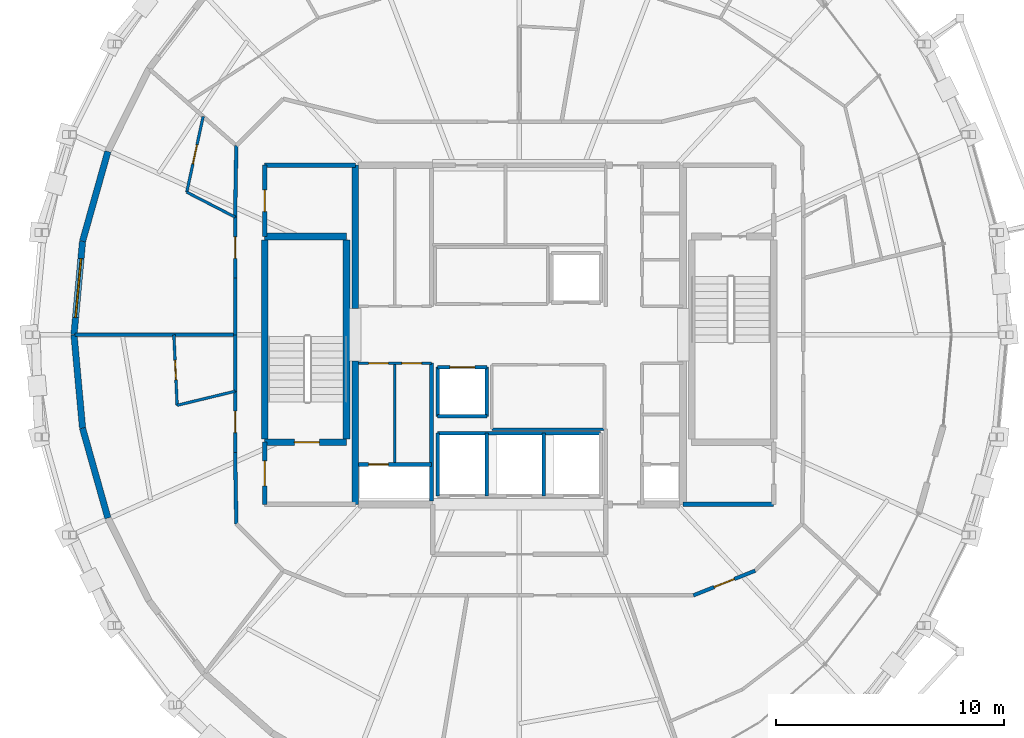
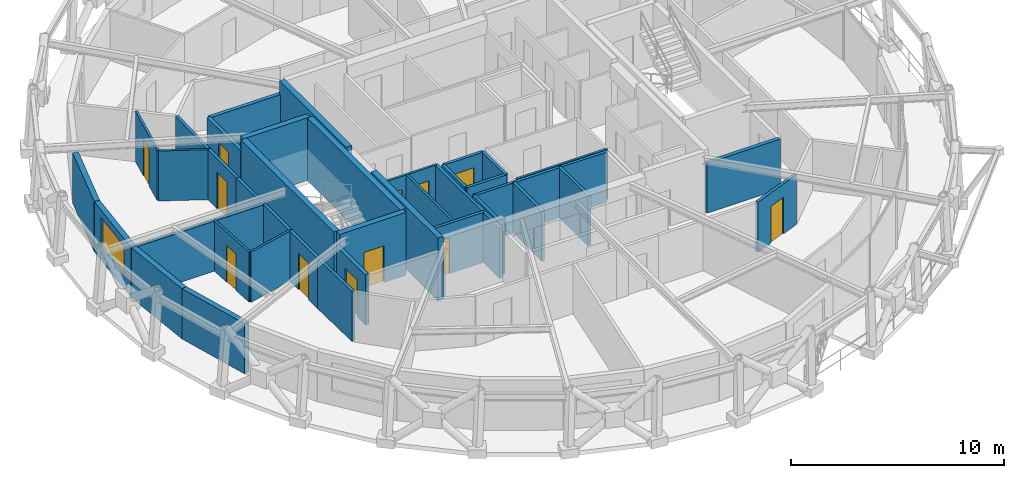
# One storey, part 11 of 15: 39 walls, 12 doors, 1 window, 13 openings.
"""IFC4 building model written with IfcOpenShell, lengths in metres."""

from ifc_helpers import new_model, si_unit, direction, frame, frame_2d, origin, place, context, subcontext, project, spatial, rectangle, extrude, material, layer, layer_set, type_object, element, fill, save


model = new_model("IFC4")

# Units and contexts
model_context = context("Model", 3, precision=1e-05, world=origin(), true_north=direction((0.0, 1.0)))
body_context = subcontext(model_context, "Body", "Model", "MODEL_VIEW")
ifc_project = project(units=[si_unit("LENGTHUNIT", "METRE"), si_unit("AREAUNIT", "SQUARE_METRE"), si_unit("VOLUMEUNIT", "CUBIC_METRE"), si_unit("PLANEANGLEUNIT", "RADIAN"), si_unit("MASSUNIT", "GRAM", prefix="KILO")], contexts=[model_context])

# Site, building, storey
site_placement = place(None, origin())
site = spatial("IfcSite", under=ifc_project, at=site_placement, CompositionType="ELEMENT")
building_placement = place(site_placement, origin())
building = spatial("IfcBuilding", under=site, at=building_placement, Name="Veldorina Hangang Commons", CompositionType="ELEMENT")
storey_placement = place(building_placement, frame((0.0, 0.0, 268.800048828125)))
storey = spatial("IfcBuildingStorey", under=building, at=storey_placement, Name="L70", CompositionType="ELEMENT", Elevation=268.800048828125)

# Walls
ifc_material_1 = material(Name="Concrete C50/60", Category="concrete")
ifc_layer_1 = layer(ifc_material_1, 0.300048828125)
ifc_layer_set_1 = layer_set([ifc_layer_1], Name="Concrete C50/60")
wall_type_1 = type_object("IfcWallType", Name="CW-RC300-C50", PredefinedType="SHEAR", material=ifc_layer_set_1)
for number, where, z_axis, x_axis, name in (
    (1, (24.800048828125, 16.550048828125, 0.0), (0.0, 0.0, 1.0), (0.0, 1.0, 0.0), "L70 W south core shear wall"),
    (2, (24.800048828125, 25.14990234375, 0.0), (0.0, 0.0, 1.0), (0.0, 1.0, 0.0), "L70 W north core shear wall"),
):
    element("IfcWall", number, at=place(storey_placement, frame(where, z_axis=z_axis, x_axis=x_axis)), inside=storey, type_object=wall_type_1, Name=name, PredefinedType="SHEAR", context=body_context, shape_type="SweptSolid", body=[
        extrude(rectangle(XDim=6.300048828125, YDim=0.300048828125, at=frame_2d((3.14990234375, 0.0))), origin(), (0.0, 0.0, 1.0), 3.599853515625),
    ])
ifc_material_2 = material(Name="Stone Roman Travertine", Category="masonry")
ifc_layer_2 = layer(ifc_material_2, 0.280029296875)
ifc_layer_set_2 = layer_set([ifc_layer_2], Name="Stone Roman Travertine")
wall_type_2 = type_object("IfcWallType", Name="EW-TRAV-280", PredefinedType="STANDARD", material=ifc_layer_set_2)
wall_1_placement = place(storey_placement, frame((13.931884765625, 32.050537109375, 0.0), z_axis=(0.0, 0.0, 1.0), x_axis=(-0.271385212896, -0.962470813179, 0.0)))
element("IfcWall", 3, at=wall_1_placement, inside=storey, type_object=wall_type_2, Name="L70 travertine facade wall 14", PredefinedType="STANDARD", context=body_context, shape_type="SweptSolid", body=[
    extrude(rectangle(XDim=4.100341796875, YDim=0.280029296875, at=frame_2d((2.05029296875, 0.0))), origin(), (0.0, 0.0, 1.0), 2.8798828125),
])

# Wall, opening, window
wall_2_placement = place(storey_placement, frame((12.819091796875, 28.10400390625, 0.0), z_axis=(0.0, 0.0, 1.0), x_axis=(-0.091230098321, -0.995829839461, 0.0)))
wall_2 = element("IfcWall", 4, at=wall_2_placement, inside=storey, type_object=wall_type_2, Name="L70 travertine facade wall 15", PredefinedType="STANDARD", context=body_context, shape_type="SweptSolid", body=[
    extrude(rectangle(XDim=4.12109375, YDim=0.280029296875, at=frame_2d((2.060546875, 0.0))), origin(), (0.0, 0.0, 1.0), 2.8798828125),
])
opening_1_placement = place(wall_2_placement, frame((0.760498046875, 0.0, 0.800048828125)))
opening_1 = element("IfcOpeningElement", 5, at=opening_1_placement, cuts=wall_2, Name="Opening W-02", PredefinedType="OPENING", context=body_context, shape_type="SweptSolid", body=[
    extrude(rectangle(XDim=2.60009765625, YDim=1.64990234375, at=frame_2d((1.300048828125, 0.824951171875))), frame((0.0, 0.14990234375, 0.0), z_axis=(0.0, -1.0, 0.0), x_axis=(1.0, 0.0, 0.0)), (0.0, 0.0, 1.0), 0.300048828125),
])
ifc_material_3 = material(Name="Glass Low-E Triple IGU", Category="glass")
window_type = type_object("IfcWindowType", Name="WIN-TWR-2600", PartitioningType="SINGLE_PANEL", PredefinedType="WINDOW", material=ifc_material_3)
window_placement = place(opening_1_placement, origin())
window = element("IfcWindow", 6, at=window_placement, inside=storey, type_object=window_type, Name="L70 facade window 15", OverallHeight=1.64990234375, OverallWidth=2.60009765625, PartitioningType="SINGLE_PANEL", PredefinedType="WINDOW", context=body_context, shape_type="SweptSolid", body=[
    extrude(rectangle(XDim=2.60009765625, YDim=1.64990234375, at=frame_2d((1.300048828125, 0.824951171875))), frame((0.0, 0.030029296875, 0.0), z_axis=(0.0, -1.0, 0.0), x_axis=(1.0, 0.0, 0.0)), (0.0, 0.0, 1.0), 0.06005859375),
])
fill(opening_1, window)

# Walls
wall_3_placement = place(storey_placement, frame((12.443115234375, 24.0, 0.0), z_axis=(0.0, 0.0, 1.0), x_axis=(0.091230098321, -0.995829839461, 0.0)))
element("IfcWall", 7, at=wall_3_placement, inside=storey, type_object=wall_type_2, Name="L70 travertine facade wall 16", PredefinedType="STANDARD", context=body_context, shape_type="SweptSolid", body=[
    extrude(rectangle(XDim=4.12109375, YDim=0.280029296875, at=frame_2d((2.060546875, 0.0))), origin(), (0.0, 0.0, 1.0), 2.8798828125),
])
wall_4_placement = place(storey_placement, frame((12.819091796875, 19.89599609375, 0.0), z_axis=(0.0, 0.0, 1.0), x_axis=(0.271385212896, -0.962470813179, 0.0)))
element("IfcWall", 8, at=wall_4_placement, inside=storey, type_object=wall_type_2, Name="L70 travertine facade wall 17", PredefinedType="STANDARD", context=body_context, shape_type="SweptSolid", body=[
    extrude(rectangle(XDim=4.100341796875, YDim=0.280029296875, at=frame_2d((2.05029296875, 0.0))), origin(), (0.0, 0.0, 1.0), 2.8798828125),
])
ifc_layer_3 = layer(ifc_material_1, 0.300048828125)
ifc_layer_set_3 = layer_set([ifc_layer_3], Name="Concrete C50/60")
wall_type_3 = type_object("IfcWallType", Name="SW-STAIR-300", PredefinedType="SHEAR", material=ifc_layer_set_3)
for number, where, z_axis, x_axis, name in (
    (9, (20.820068359375, 19.429931640625, 0.0), (0.0, 0.0, 1.0), (0.0, 1.0, 0.0), "L70 ST1 outer stair shear wall"),
    (10, (24.419921875, 19.429931640625, 0.0), (0.0, 0.0, 1.0), (0.0, 1.0, 0.0), "L70 ST1 inner stair shear wall"),
):
    element("IfcWall", number, at=place(storey_placement, frame(where, z_axis=z_axis, x_axis=x_axis)), inside=storey, type_object=wall_type_3, Name=name, PredefinedType="SHEAR", context=body_context, shape_type="SweptSolid", body=[
        extrude(rectangle(XDim=8.739990234375, YDim=0.300048828125, at=frame_2d((4.3701171875, 0.0))), origin(), (0.0, 0.0, 1.0), 3.599853515625),
    ])

# Wall, opening, door
wall_5_placement = place(storey_placement, frame((20.820068359375, 19.280029296875, 0.0), z_axis=(0.0, 0.0, 1.0), x_axis=(1.0, 0.0, 0.0)))
wall_5 = element("IfcWall", 11, at=wall_5_placement, inside=storey, type_object=wall_type_3, Name="L70 ST1 south stair shear wall", PredefinedType="SHEAR", context=body_context, shape_type="SweptSolid", body=[
    extrude(rectangle(XDim=3.599853515625, YDim=0.300048828125, at=frame_2d((1.7998046875, 0.0))), origin(), (0.0, 0.0, 1.0), 3.599853515625),
])
opening_2_placement = place(wall_5_placement, frame((1.300048828125, 0.0, 0.0)))
opening_2 = element("IfcOpeningElement", 12, at=opening_2_placement, cuts=wall_5, Name="Opening D-08", PredefinedType="OPENING", context=body_context, shape_type="SweptSolid", body=[
    extrude(rectangle(XDim=1.10009765625, YDim=2.10009765625, at=frame_2d((0.550048828125, 1.050048828125))), frame((0.0, 0.16015625, 0.0), z_axis=(0.0, -1.0, 0.0), x_axis=(1.0, 0.0, 0.0)), (0.0, 0.0, 1.0), 0.320068359375),
])
ifc_material_4 = material(Name="Steel Fire-Rated Smoke Seal", Category="steel")
door_type_1 = type_object("IfcDoorType", Name="DR-FIRE-1100", OperationType="SINGLE_SWING_RIGHT", PredefinedType="DOOR", material=ifc_material_4)
door_1_placement = place(opening_2_placement, origin())
door_1 = element("IfcDoor", 13, at=door_1_placement, inside=storey, type_object=door_type_1, Name="L70 Special Escape Stair ST-1 door", OperationType="SINGLE_SWING_LEFT", OverallHeight=2.10009765625, OverallWidth=1.10009765625, PredefinedType="DOOR", context=body_context, shape_type="SweptSolid", body=[
    extrude(rectangle(XDim=1.10009765625, YDim=2.10009765625, at=frame_2d((0.550048828125, 1.050048828125))), frame((0.0, 0.02490234375, 0.0), z_axis=(0.0, -1.0, 0.0), x_axis=(1.0, 0.0, 0.0)), (0.0, 0.0, 1.0), 0.050048828125),
])
fill(opening_2, door_1)

# Wall
wall_6_placement = place(storey_placement, frame((20.820068359375, 28.320068359375, 0.0), z_axis=(0.0, 0.0, 1.0), x_axis=(1.0, 0.0, 0.0)))
element("IfcWall", 14, at=wall_6_placement, inside=storey, type_object=wall_type_3, Name="L70 ST1 north stair shear wall", PredefinedType="SHEAR", context=body_context, shape_type="SweptSolid", body=[
    extrude(rectangle(XDim=3.599853515625, YDim=0.300048828125, at=frame_2d((1.7998046875, 0.0))), origin(), (0.0, 0.0, 1.0), 3.599853515625),
])

# Wall, opening, door
ifc_material_5 = material(Name="Gypsum Fire-Rated Twin Stud Wall", Category="gypsum")
ifc_layer_4 = layer(ifc_material_5, 0.159912109375)
ifc_layer_set_4 = layer_set([ifc_layer_4], Name="Gypsum Fire-Rated Twin Stud Wall")
wall_type_4 = type_object("IfcWallType", Name="WL-FIRE-160", PredefinedType="SOLIDWALL", material=ifc_layer_set_4)
wall_7_placement = place(storey_placement, frame((28.419921875, 22.580078125, 0.0), z_axis=(0.0, 0.0, 1.0), x_axis=(1.0, 0.0, 0.0)))
wall_7 = element("IfcWall", 15, at=wall_7_placement, inside=storey, type_object=wall_type_4, Name="L70 Shuttle-high front shaft wall 019", PredefinedType="SOLIDWALL", context=body_context, shape_type="SweptSolid", body=[
    extrude(rectangle(XDim=2.16015625, YDim=0.159912109375, at=frame_2d((1.080078125, 0.0))), origin(), (0.0, 0.0, 1.0), 2.869873046875),
])
opening_3_placement = place(wall_7_placement, frame((0.530029296875, 0.0, 0.0)))
opening_3 = element("IfcOpeningElement", 16, at=opening_3_placement, cuts=wall_7, Name="Opening LD-01", PredefinedType="OPENING", context=body_context, shape_type="SweptSolid", body=[
    extrude(rectangle(XDim=1.10009765625, YDim=2.14990234375, at=frame_2d((0.550048828125, 1.074951171875))), frame((0.0, 0.08984375, 0.0), z_axis=(0.0, -1.0, 0.0), x_axis=(1.0, 0.0, 0.0)), (0.0, 0.0, 1.0), 0.179931640625),
])
ifc_material_6 = material(Name="Stainless Steel Brushed Lift Door", Category="steel")
door_type_2 = type_object("IfcDoorType", Name="DR-LIFT-1100", OperationType="SLIDING_TO_LEFT", PredefinedType="DOOR", material=ifc_material_6)
door_2_placement = place(opening_3_placement, origin())
door_2 = element("IfcDoor", 17, at=door_2_placement, inside=storey, type_object=door_type_2, Name="L70 Lift PL-H2 landing door 007", OperationType="SLIDING_TO_LEFT", OverallHeight=2.14990234375, OverallWidth=1.10009765625, PredefinedType="DOOR", context=body_context, shape_type="SweptSolid", body=[
    extrude(rectangle(XDim=1.10009765625, YDim=2.14990234375, at=frame_2d((0.550048828125, 1.074951171875))), frame((0.0, 0.02490234375, 0.0), z_axis=(0.0, -1.0, 0.0), x_axis=(1.0, 0.0, 0.0)), (0.0, 0.0, 1.0), 0.050048828125),
])
fill(opening_3, door_2)

# Walls
for number, where, z_axis, x_axis, name in (
    (18, (28.419921875, 20.419921875, 0.0), (0.0, 0.0, 1.0), (1.0, 0.0, 0.0), "L70 Shuttle-high rear shaft wall 020"),
    (19, (28.419921875, 20.419921875, 0.0), (0.0, 0.0, 1.0), (0.0, 1.0, 0.0), "L70 PL-H2 west shaft wall 021"),
    (20, (30.580078125, 20.419921875, 0.0), (0.0, 0.0, 1.0), (0.0, 1.0, 0.0), "L70 PL-H2 east shaft wall 022"),
):
    element("IfcWall", number, at=place(storey_placement, frame(where, z_axis=z_axis, x_axis=x_axis)), inside=storey, type_object=wall_type_4, Name=name, PredefinedType="SOLIDWALL", context=body_context, shape_type="SweptSolid", body=[
        extrude(rectangle(XDim=2.16015625, YDim=0.159912109375, at=frame_2d((1.080078125, 0.0))), origin(), (0.0, 0.0, 1.0), 2.869873046875),
    ])
wall_8_placement = place(storey_placement, frame((28.419921875, 19.679931640625, 0.0), z_axis=(0.0, 0.0, 1.0), x_axis=(1.0, 0.0, 0.0)))
element("IfcWall", 21, at=wall_8_placement, inside=storey, type_object=wall_type_4, Name="L70 Emergency rear shaft wall 024", PredefinedType="SOLIDWALL", context=body_context, shape_type="SweptSolid", body=[
    extrude(rectangle(XDim=7.16015625, YDim=0.159912109375, at=frame_2d((3.580078125, 0.0))), origin(), (0.0, 0.0, 1.0), 2.869873046875),
])
for number, where, z_axis, x_axis, name in (
    (22, (28.419921875, 16.919921875, 0.0), (0.0, 0.0, 1.0), (0.0, 1.0, 0.0), "L70 FFL-1 west shaft wall 025"),
    (23, (30.580078125, 16.919921875, 0.0), (0.0, 0.0, 1.0), (0.0, 1.0, 0.0), "L70 FFL-1 east shaft wall 026"),
    (24, (33.080078125, 16.919921875, 0.0), (0.0, 0.0, 1.0), (0.0, 1.0, 0.0), "L70 FFL-2 east shaft wall 027"),
):
    element("IfcWall", number, at=place(storey_placement, frame(where, z_axis=z_axis, x_axis=x_axis)), inside=storey, type_object=wall_type_4, Name=name, PredefinedType="SOLIDWALL", context=body_context, shape_type="SweptSolid", body=[
        extrude(rectangle(XDim=2.760009765625, YDim=0.159912109375, at=frame_2d((1.3798828125, 0.0))), origin(), (0.0, 0.0, 1.0), 2.869873046875),
    ])

# Wall, opening, door
wall_9_placement = place(storey_placement, frame((24.949951171875, 18.300048828125, 0.0), z_axis=(0.0, 0.0, 1.0), x_axis=(1.0, 0.0, 0.0)))
wall_9 = element("IfcWall", 25, at=wall_9_placement, inside=storey, type_object=wall_type_4, Name="L70 Electrical riser wall 041", PredefinedType="SOLIDWALL", context=body_context, shape_type="SweptSolid", body=[
    extrude(rectangle(XDim=3.199951171875, YDim=0.159912109375, at=frame_2d((1.60009765625, 0.0))), origin(), (0.0, 0.0, 1.0), 2.869873046875),
])
opening_4_placement = place(wall_9_placement, frame((0.43994140625, 0.0, 0.0)))
opening_4 = element("IfcOpeningElement", 26, at=opening_4_placement, cuts=wall_9, Name="Opening D-12", PredefinedType="OPENING", context=body_context, shape_type="SweptSolid", body=[
    extrude(rectangle(XDim=0.860107421875, YDim=2.050048828125, at=frame_2d((0.43017578125, 1.02490234375))), frame((0.0, 0.08984375, 0.0), z_axis=(0.0, -1.0, 0.0), x_axis=(1.0, 0.0, 0.0)), (0.0, 0.0, 1.0), 0.179931640625),
])
ifc_material_7 = material(Name="Steel Insulated Riser Access", Category="steel")
door_type_3 = type_object("IfcDoorType", Name="DR-TRAP-860", OperationType="SINGLE_SWING_LEFT", PredefinedType="TRAPDOOR", material=ifc_material_7)
door_3_placement = place(opening_4_placement, origin())
door_3 = element("IfcDoor", 27, at=door_3_placement, inside=storey, type_object=door_type_3, Name="L70 Electrical riser access door 015", OperationType="SINGLE_SWING_LEFT", OverallHeight=2.050048828125, OverallWidth=0.860107421875, PredefinedType="TRAPDOOR", context=body_context, shape_type="SweptSolid", body=[
    extrude(rectangle(XDim=0.860107421875, YDim=2.050048828125, at=frame_2d((0.43017578125, 1.02490234375))), frame((0.0, 0.02490234375, 0.0), z_axis=(0.0, -1.0, 0.0), x_axis=(1.0, 0.0, 0.0)), (0.0, 0.0, 1.0), 0.050048828125),
])
fill(opening_4, door_3)

# Walls
wall_10_placement = place(storey_placement, frame((28.14990234375, 16.699951171875, 0.0), z_axis=(0.0, 0.0, 1.0), x_axis=(0.0, 1.0, 0.0)))
element("IfcWall", 28, at=wall_10_placement, inside=storey, type_object=wall_type_4, Name="L70 SW core inner wall 042", PredefinedType="SOLIDWALL", context=body_context, shape_type="SweptSolid", body=[
    extrude(rectangle(XDim=6.050048828125, YDim=0.159912109375, at=frame_2d((3.02490234375, 0.0))), origin(), (0.0, 0.0, 1.0), 2.869873046875),
])
wall_11_placement = place(storey_placement, frame((19.5732421875, 32.30322265625, 0.0), z_axis=(0.0, 0.0, 1.0), x_axis=(-0.016981035134, -0.999855811828, 0.0)))
element("IfcWall", 29, at=wall_11_placement, inside=storey, type_object=wall_type_4, Name="L70 Compact collar outer wall 13 069", PredefinedType="SOLIDWALL", context=body_context, shape_type="SweptSolid", body=[
    extrude(rectangle(XDim=3.13427734375, YDim=0.159912109375, at=frame_2d((1.567138671875, 0.0))), origin(), (0.0, 0.0, 1.0), 2.869873046875),
])

# Wall, opening, door
wall_12_placement = place(storey_placement, frame((19.52001953125, 29.16943359375, 0.0), z_axis=(0.0, 0.0, 1.0), x_axis=(0.0, -1.0, 0.0)))
wall_12 = element("IfcWall", 30, at=wall_12_placement, inside=storey, type_object=wall_type_4, Name="L70 Compact collar outer wall 14 070", PredefinedType="SOLIDWALL", context=body_context, shape_type="SweptSolid", body=[
    extrude(rectangle(XDim=2.68701171875, YDim=0.159912109375, at=frame_2d((1.343505859375, 0.0))), origin(), (0.0, 0.0, 1.0), 2.869873046875),
])
opening_5_placement = place(wall_12_placement, frame((0.868408203125, 0.0, 0.0)))
opening_5 = element("IfcOpeningElement", 31, at=opening_5_placement, cuts=wall_12, Name="Opening D-03", PredefinedType="OPENING", context=body_context, shape_type="SweptSolid", body=[
    extrude(rectangle(XDim=0.949951171875, YDim=2.10009765625, at=frame_2d((0.47509765625, 1.050048828125))), frame((0.0, 0.08984375, 0.0), z_axis=(0.0, -1.0, 0.0), x_axis=(1.0, 0.0, 0.0)), (0.0, 0.0, 1.0), 0.179931640625),
])
ifc_material_8 = material(Name="Timber Fire-Rated Entrance Core", Category="wood")
door_type_4 = type_object("IfcDoorType", Name="DR-UNIT-950", OperationType="SINGLE_SWING_RIGHT", PredefinedType="DOOR", material=ifc_material_8)
door_4_placement = place(opening_5_placement, origin())
door_4 = element("IfcDoor", 32, at=door_4_placement, inside=storey, type_object=door_type_4, Name="L70 Studio 4 entrance door 038", OperationType="SINGLE_SWING_RIGHT", OverallHeight=2.10009765625, OverallWidth=0.949951171875, PredefinedType="DOOR", context=body_context, shape_type="SweptSolid", body=[
    extrude(rectangle(XDim=0.949951171875, YDim=2.10009765625, at=frame_2d((0.47509765625, 1.050048828125))), frame((0.0, 0.02490234375, 0.0), z_axis=(0.0, -1.0, 0.0), x_axis=(1.0, 0.0, 0.0)), (0.0, 0.0, 1.0), 0.050048828125),
])
fill(opening_5, door_4)

# Walls
for number, where, z_axis, x_axis, name in (
    (33, (19.52001953125, 26.482421875, 0.0), (0.0, 0.0, 1.0), (0.0, -1.0, 0.0), "L70 Compact collar outer wall 15 071"),
    (34, (19.52001953125, 24.0, 0.0), (0.0, 0.0, 1.0), (0.0, -1.0, 0.0), "L70 Compact collar outer wall 16 072"),
):
    element("IfcWall", number, at=place(storey_placement, frame(where, z_axis=z_axis, x_axis=x_axis)), inside=storey, type_object=wall_type_4, Name=name, PredefinedType="SOLIDWALL", context=body_context, shape_type="SweptSolid", body=[
        extrude(rectangle(XDim=2.482421875, YDim=0.159912109375, at=frame_2d((1.2412109375, 0.0))), origin(), (0.0, 0.0, 1.0), 2.869873046875),
    ])

# Wall, opening, door
wall_13_placement = place(storey_placement, frame((19.52001953125, 21.517578125, 0.0), z_axis=(0.0, 0.0, 1.0), x_axis=(0.0, -1.0, 0.0)))
wall_13 = element("IfcWall", 35, at=wall_13_placement, inside=storey, type_object=wall_type_4, Name="L70 Compact collar outer wall 17 073", PredefinedType="SOLIDWALL", context=body_context, shape_type="SweptSolid", body=[
    extrude(rectangle(XDim=2.68701171875, YDim=0.159912109375, at=frame_2d((1.343505859375, 0.0))), origin(), (0.0, 0.0, 1.0), 2.869873046875),
])
opening_6_placement = place(wall_13_placement, frame((0.868408203125, 0.0, 0.0)))
opening_6 = element("IfcOpeningElement", 36, at=opening_6_placement, cuts=wall_13, Name="Opening D-03", PredefinedType="OPENING", context=body_context, shape_type="SweptSolid", body=[
    extrude(rectangle(XDim=0.949951171875, YDim=2.10009765625, at=frame_2d((0.47509765625, 1.050048828125))), frame((0.0, 0.08984375, 0.0), z_axis=(0.0, -1.0, 0.0), x_axis=(1.0, 0.0, 0.0)), (0.0, 0.0, 1.0), 0.179931640625),
])
door_5_placement = place(opening_6_placement, origin())
door_5 = element("IfcDoor", 37, at=door_5_placement, inside=storey, type_object=door_type_4, Name="L70 Studio 5 entrance door 040", OperationType="SINGLE_SWING_RIGHT", OverallHeight=2.10009765625, OverallWidth=0.949951171875, PredefinedType="DOOR", context=body_context, shape_type="SweptSolid", body=[
    extrude(rectangle(XDim=0.949951171875, YDim=2.10009765625, at=frame_2d((0.47509765625, 1.050048828125))), frame((0.0, 0.02490234375, 0.0), z_axis=(0.0, -1.0, 0.0), x_axis=(1.0, 0.0, 0.0)), (0.0, 0.0, 1.0), 0.050048828125),
])
fill(opening_6, door_5)

# Wall
wall_14_placement = place(storey_placement, frame((19.52001953125, 18.83056640625, 0.0), z_axis=(0.0, 0.0, 1.0), x_axis=(0.016981035134, -0.999855811828, 0.0)))
element("IfcWall", 38, at=wall_14_placement, inside=storey, type_object=wall_type_4, Name="L70 Compact collar outer wall 18 074", PredefinedType="SOLIDWALL", context=body_context, shape_type="SweptSolid", body=[
    extrude(rectangle(XDim=3.13427734375, YDim=0.159912109375, at=frame_2d((1.567138671875, 0.0))), origin(), (0.0, 0.0, 1.0), 2.869873046875),
])

# Wall, opening, door
wall_15_placement = place(storey_placement, frame((39.650634765625, 12.550048828125, 0.0), z_axis=(0.0, 0.0, 1.0), x_axis=(0.92856882165, 0.371160266542, 0.0)))
wall_15 = element("IfcWall", 39, at=wall_15_placement, inside=storey, type_object=wall_type_4, Name="L70 Compact collar outer wall 27 083", PredefinedType="SOLIDWALL", context=body_context, shape_type="SweptSolid", body=[
    extrude(rectangle(XDim=2.923095703125, YDim=0.159912109375, at=frame_2d((1.46142578125, 0.0))), origin(), (0.0, 0.0, 1.0), 2.869873046875),
])
opening_7_placement = place(wall_15_placement, frame((0.986572265625, 0.0, 0.0)))
opening_7 = element("IfcOpeningElement", 40, at=opening_7_placement, cuts=wall_15, Name="Opening D-02", PredefinedType="OPENING", context=body_context, shape_type="SweptSolid", body=[
    extrude(rectangle(XDim=0.949951171875, YDim=2.10009765625, at=frame_2d((0.47509765625, 1.050048828125))), frame((0.0, 0.08984375, 0.0), z_axis=(0.0, -1.0, 0.0), x_axis=(1.0, 0.0, 0.0)), (0.0, 0.0, 1.0), 0.179931640625),
])
ifc_material_9 = material(Name="Timber Solid Core Acoustic", Category="wood")
door_type_5 = type_object("IfcDoorType", Name="DR-INT-950", OperationType="SINGLE_SWING_LEFT", PredefinedType="DOOR", material=ifc_material_9)
door_6_placement = place(opening_7_placement, origin())
door_6 = element("IfcDoor", 41, at=door_6_placement, inside=storey, type_object=door_type_5, Name="L70 Linen drying store door 043", OperationType="SINGLE_SWING_LEFT", OverallHeight=2.10009765625, OverallWidth=0.949951171875, PredefinedType="DOOR", context=body_context, shape_type="SweptSolid", body=[
    extrude(rectangle(XDim=0.949951171875, YDim=2.10009765625, at=frame_2d((0.47509765625, 1.050048828125))), frame((0.0, 0.02490234375, 0.0), z_axis=(0.0, -1.0, 0.0), x_axis=(1.0, 0.0, 0.0)), (0.0, 0.0, 1.0), 0.050048828125),
])
fill(opening_7, door_6)

# Wall
wall_16_placement = place(storey_placement, frame((19.52001953125, 24.0, 0.0), z_axis=(0.0, 0.0, 1.0), x_axis=(-1.0, 0.0, 0.0)))
element("IfcWall", 42, at=wall_16_placement, inside=storey, type_object=wall_type_4, Name="L70 Unit party wall 16 108", PredefinedType="SOLIDWALL", context=body_context, shape_type="SweptSolid", body=[
    extrude(rectangle(XDim=7.02685546875, YDim=0.159912109375, at=frame_2d((3.513427734375, 0.0))), origin(), (0.0, 0.0, 1.0), 2.869873046875),
])

# Wall, opening, door
ifc_material_10 = material(Name="Concrete Blockwork Fire Wall C30/37", Category="masonry")
ifc_layer_5 = layer(ifc_material_10, 0.199951171875)
ifc_layer_set_5 = layer_set([ifc_layer_5], Name="Concrete Blockwork Fire Wall C30/37")
wall_type_5 = type_object("IfcWallType", Name="WL-FIRE-200", PredefinedType="SOLIDWALL", material=ifc_layer_set_5)
wall_17_placement = place(storey_placement, frame((20.820068359375, 16.550048828125, 0.0), z_axis=(0.0, 0.0, 1.0), x_axis=(0.0, 1.0, 0.0)))
wall_17 = element("IfcWall", 43, at=wall_17_placement, inside=storey, type_object=wall_type_5, Name="L70 West vestibule outer wall 001", PredefinedType="SOLIDWALL", context=body_context, shape_type="SweptSolid", body=[
    extrude(rectangle(XDim=2.72998046875, YDim=0.199951171875, at=frame_2d((1.364990234375, 0.0))), origin(), (0.0, 0.0, 1.0), 2.869873046875),
])
opening_8_placement = place(wall_17_placement, frame((0.81494140625, 0.0, 0.0)))
opening_8 = element("IfcOpeningElement", 44, at=opening_8_placement, cuts=wall_17, Name="Opening D-08", PredefinedType="OPENING", context=body_context, shape_type="SweptSolid", body=[
    extrude(rectangle(XDim=1.10009765625, YDim=2.10009765625, at=frame_2d((0.550048828125, 1.050048828125))), frame((0.0, 0.10986328125, 0.0), z_axis=(0.0, -1.0, 0.0), x_axis=(1.0, 0.0, 0.0)), (0.0, 0.0, 1.0), 0.219970703125),
])
door_7_placement = place(opening_8_placement, origin())
door_7 = element("IfcDoor", 45, at=door_7_placement, inside=storey, type_object=door_type_1, Name="L70 West vestibule west door 001", OperationType="SINGLE_SWING_LEFT", OverallHeight=2.10009765625, OverallWidth=1.10009765625, PredefinedType="DOOR", context=body_context, shape_type="SweptSolid", body=[
    extrude(rectangle(XDim=1.10009765625, YDim=2.10009765625, at=frame_2d((0.550048828125, 1.050048828125))), frame((0.0, 0.02490234375, 0.0), z_axis=(0.0, -1.0, 0.0), x_axis=(1.0, 0.0, 0.0)), (0.0, 0.0, 1.0), 0.050048828125),
])
fill(opening_8, door_7)

wall_18_placement = place(storey_placement, frame((20.820068359375, 28.320068359375, 0.0), z_axis=(0.0, 0.0, 1.0), x_axis=(0.0, 1.0, 0.0)))
wall_18 = element("IfcWall", 46, at=wall_18_placement, inside=storey, type_object=wall_type_5, Name="L70 NW core room outer wall 005", PredefinedType="SOLIDWALL", context=body_context, shape_type="SweptSolid", body=[
    extrude(rectangle(XDim=3.1298828125, YDim=0.199951171875, at=frame_2d((1.56494140625, 0.0))), origin(), (0.0, 0.0, 1.0), 2.869873046875),
])
opening_9_placement = place(wall_18_placement, frame((1.090087890625, 0.0, 0.0)))
opening_9 = element("IfcOpeningElement", 47, at=opening_9_placement, cuts=wall_18, Name="Opening D-04", PredefinedType="OPENING", context=body_context, shape_type="SweptSolid", body=[
    extrude(rectangle(XDim=0.949951171875, YDim=2.10009765625, at=frame_2d((0.47509765625, 1.050048828125))), frame((0.0, 0.10986328125, 0.0), z_axis=(0.0, -1.0, 0.0), x_axis=(1.0, 0.0, 0.0)), (0.0, 0.0, 1.0), 0.219970703125),
])
ifc_material_11 = material(Name="Timber Accessible Flush Leaf", Category="wood")
door_type_6 = type_object("IfcDoorType", Name="DR-ACC-950", OperationType="SINGLE_SWING_LEFT", PredefinedType="DOOR", material=ifc_material_11)
door_8_placement = place(opening_9_placement, origin())
door_8 = element("IfcDoor", 48, at=door_8_placement, inside=storey, type_object=door_type_6, Name="L70 NW core WC door 003", OperationType="SINGLE_SWING_LEFT", OverallHeight=2.10009765625, OverallWidth=0.949951171875, PredefinedType="DOOR", context=body_context, shape_type="SweptSolid", body=[
    extrude(rectangle(XDim=0.949951171875, YDim=2.10009765625, at=frame_2d((0.47509765625, 1.050048828125))), frame((0.0, 0.02490234375, 0.0), z_axis=(0.0, -1.0, 0.0), x_axis=(1.0, 0.0, 0.0)), (0.0, 0.0, 1.0), 0.050048828125),
])
fill(opening_9, door_8)

# Walls
for number, where, z_axis, x_axis, name in (
    (49, (20.820068359375, 31.449951171875, 0.0), (0.0, 0.0, 1.0), (1.0, 0.0, 0.0), "L70 NW core room north wall 006"),
    (50, (39.199951171875, 16.550048828125, 0.0), (0.0, 0.0, 1.0), (1.0, 0.0, 0.0), "L70 SE core room south wall 008"),
):
    element("IfcWall", number, at=place(storey_placement, frame(where, z_axis=z_axis, x_axis=x_axis)), inside=storey, type_object=wall_type_5, Name=name, PredefinedType="SOLIDWALL", context=body_context, shape_type="SweptSolid", body=[
        extrude(rectangle(XDim=3.97998046875, YDim=0.199951171875, at=frame_2d((1.989990234375, 0.0))), origin(), (0.0, 0.0, 1.0), 2.869873046875),
    ])
ifc_material_12 = material(Name="Gypsum Acoustic Stud Partition", Category="gypsum")
ifc_layer_6 = layer(ifc_material_12, 0.1201171875)
ifc_layer_set_6 = layer_set([ifc_layer_6], Name="Gypsum Acoustic Stud Partition")
wall_type_6 = type_object("IfcWallType", Name="WL-PART-120", PredefinedType="PARTITIONING", material=ifc_layer_set_6)
wall_19_placement = place(storey_placement, frame((30.800048828125, 19.85009765625, 0.0), z_axis=(0.0, 0.0, 1.0), x_axis=(1.0, 0.0, 0.0)))
element("IfcWall", 51, at=wall_19_placement, inside=storey, type_object=wall_type_6, Name="L70 Merged shuttle south wall 038", PredefinedType="PARTITIONING", context=body_context, shape_type="SweptSolid", body=[
    extrude(rectangle(XDim=4.949951171875, YDim=0.1201171875, at=frame_2d((2.47509765625, 0.0))), origin(), (0.0, 0.0, 1.0), 2.869873046875),
])

# Wall, openings, doors
wall_20_placement = place(storey_placement, frame((24.949951171875, 22.75, 0.0), z_axis=(0.0, 0.0, 1.0), x_axis=(1.0, 0.0, 0.0)))
wall_20 = element("IfcWall", 52, at=wall_20_placement, inside=storey, type_object=wall_type_6, Name="L70 SW service north wall 046", PredefinedType="PARTITIONING", context=body_context, shape_type="SweptSolid", body=[
    extrude(rectangle(XDim=3.199951171875, YDim=0.1201171875, at=frame_2d((1.60009765625, 0.0))), origin(), (0.0, 0.0, 1.0), 2.869873046875),
])
opening_10_placement = place(wall_20_placement, frame((0.43994140625, 0.0, 0.0)))
opening_10 = element("IfcOpeningElement", 53, at=opening_10_placement, cuts=wall_20, Name="Opening D-01", PredefinedType="OPENING", context=body_context, shape_type="SweptSolid", body=[
    extrude(rectangle(XDim=0.860107421875, YDim=2.10009765625, at=frame_2d((0.43017578125, 1.050048828125))), frame((0.0, 0.070068359375, 0.0), z_axis=(0.0, -1.0, 0.0), x_axis=(1.0, 0.0, 0.0)), (0.0, 0.0, 1.0), 0.14013671875),
])
opening_11_placement = place(wall_20_placement, frame((1.89990234375, 0.0, 0.0)))
opening_11 = element("IfcOpeningElement", 54, at=opening_11_placement, cuts=wall_20, Name="Opening D-01", PredefinedType="OPENING", context=body_context, shape_type="SweptSolid", body=[
    extrude(rectangle(XDim=0.860107421875, YDim=2.10009765625, at=frame_2d((0.43017578125, 1.050048828125))), frame((0.0, 0.070068359375, 0.0), z_axis=(0.0, -1.0, 0.0), x_axis=(1.0, 0.0, 0.0)), (0.0, 0.0, 1.0), 0.14013671875),
])
ifc_material_13 = material(Name="Timber Moisture-Resistant Core", Category="wood")
door_type_7 = type_object("IfcDoorType", Name="DR-WET-860", OperationType="SINGLE_SWING_LEFT", PredefinedType="DOOR", material=ifc_material_13)
door_9_placement = place(opening_10_placement, origin())
door_9 = element("IfcDoor", 55, at=door_9_placement, inside=storey, type_object=door_type_7, Name="L70 Cleaners door 019", OperationType="SINGLE_SWING_LEFT", OverallHeight=2.10009765625, OverallWidth=0.860107421875, PredefinedType="DOOR", context=body_context, shape_type="SweptSolid", body=[
    extrude(rectangle(XDim=0.860107421875, YDim=2.10009765625, at=frame_2d((0.43017578125, 1.050048828125))), frame((0.0, 0.02490234375, 0.0), z_axis=(0.0, -1.0, 0.0), x_axis=(1.0, 0.0, 0.0)), (0.0, 0.0, 1.0), 0.050048828125),
])
fill(opening_10, door_9)
door_10_placement = place(opening_11_placement, origin())
door_10 = element("IfcDoor", 56, at=door_10_placement, inside=storey, type_object=door_type_7, Name="L70 Metering door 020", OperationType="SINGLE_SWING_RIGHT", OverallHeight=2.10009765625, OverallWidth=0.860107421875, PredefinedType="DOOR", context=body_context, shape_type="SweptSolid", body=[
    extrude(rectangle(XDim=0.860107421875, YDim=2.10009765625, at=frame_2d((0.43017578125, 1.050048828125))), frame((0.0, 0.02490234375, 0.0), z_axis=(0.0, -1.0, 0.0), x_axis=(1.0, 0.0, 0.0)), (0.0, 0.0, 1.0), 0.050048828125),
])
fill(opening_11, door_10)

# Wall
wall_21_placement = place(storey_placement, frame((26.530029296875, 18.300048828125, 0.0), z_axis=(0.0, 0.0, 1.0), x_axis=(0.0, 1.0, 0.0)))
element("IfcWall", 57, at=wall_21_placement, inside=storey, type_object=wall_type_6, Name="L70 SW vertical split 052", PredefinedType="PARTITIONING", context=body_context, shape_type="SweptSolid", body=[
    extrude(rectangle(XDim=4.449951171875, YDim=0.1201171875, at=frame_2d((2.22509765625, 0.0))), origin(), (0.0, 0.0, 1.0), 2.869873046875),
])

# Wall, opening, door
wall_22_placement = place(storey_placement, frame((18.1162109375, 33.58935546875, 0.0), z_axis=(0.0, 0.0, 1.0), x_axis=(-0.211547716105, -0.977367670742, 0.0)))
wall_22 = element("IfcWall", 58, at=wall_22_placement, inside=storey, type_object=wall_type_6, Name="L70 Studio 4 bath front wall 106", PredefinedType="PARTITIONING", context=body_context, shape_type="SweptSolid", body=[
    extrude(rectangle(XDim=3.402099609375, YDim=0.1201171875, at=frame_2d((1.701171875, 0.0))), origin(), (0.0, 0.0, 1.0), 2.869873046875),
])
opening_12_placement = place(wall_22_placement, frame((1.27099609375, 0.0, 0.0)))
opening_12 = element("IfcOpeningElement", 59, at=opening_12_placement, cuts=wall_22, Name="Opening D-01", PredefinedType="OPENING", context=body_context, shape_type="SweptSolid", body=[
    extrude(rectangle(XDim=0.860107421875, YDim=2.10009765625, at=frame_2d((0.43017578125, 1.050048828125))), frame((0.0, 0.070068359375, 0.0), z_axis=(0.0, -1.0, 0.0), x_axis=(1.0, 0.0, 0.0)), (0.0, 0.0, 1.0), 0.14013671875),
])
door_11_placement = place(opening_12_placement, origin())
door_11 = element("IfcDoor", 60, at=door_11_placement, inside=storey, type_object=door_type_7, Name="L70 Studio 4 bathroom door 037", OperationType="SINGLE_SWING_LEFT", OverallHeight=2.10009765625, OverallWidth=0.860107421875, PredefinedType="DOOR", context=body_context, shape_type="SweptSolid", body=[
    extrude(rectangle(XDim=0.860107421875, YDim=2.10009765625, at=frame_2d((0.43017578125, 1.050048828125))), frame((0.0, 0.02490234375, 0.0), z_axis=(0.0, -1.0, 0.0), x_axis=(1.0, 0.0, 0.0)), (0.0, 0.0, 1.0), 0.050048828125),
])
fill(opening_12, door_11)

# Wall
wall_23_placement = place(storey_placement, frame((19.52001953125, 29.16943359375, 0.0), z_axis=(0.0, 0.0, 1.0), x_axis=(-0.888840886665, 0.458215973305, 0.0)))
element("IfcWall", 61, at=wall_23_placement, inside=storey, type_object=wall_type_6, Name="L70 Studio 4 bath side wall 107", PredefinedType="PARTITIONING", context=body_context, shape_type="SweptSolid", body=[
    extrude(rectangle(XDim=2.38916015625, YDim=0.1201171875, at=frame_2d((1.194580078125, 0.0))), origin(), (0.0, 0.0, 1.0), 2.869873046875),
])

# Wall, opening, door
wall_24_placement = place(storey_placement, frame((16.830810546875, 24.0, 0.0), z_axis=(0.0, 0.0, 1.0), x_axis=(0.046043143671, -0.99893945208, 0.0)))
wall_24 = element("IfcWall", 62, at=wall_24_placement, inside=storey, type_object=wall_type_6, Name="L70 Studio 5 bath front wall 109", PredefinedType="PARTITIONING", context=body_context, shape_type="SweptSolid", body=[
    extrude(rectangle(XDim=3.101806640625, YDim=0.1201171875, at=frame_2d((1.55078125, 0.0))), origin(), (0.0, 0.0, 1.0), 2.869873046875),
])
opening_13_placement = place(wall_24_placement, frame((1.12109375, 0.0, 0.0)))
opening_13 = element("IfcOpeningElement", 63, at=opening_13_placement, cuts=wall_24, Name="Opening D-01", PredefinedType="OPENING", context=body_context, shape_type="SweptSolid", body=[
    extrude(rectangle(XDim=0.860107421875, YDim=2.10009765625, at=frame_2d((0.43017578125, 1.050048828125))), frame((0.0, 0.070068359375, 0.0), z_axis=(0.0, -1.0, 0.0), x_axis=(1.0, 0.0, 0.0)), (0.0, 0.0, 1.0), 0.14013671875),
])
door_12_placement = place(opening_13_placement, origin())
door_12 = element("IfcDoor", 64, at=door_12_placement, inside=storey, type_object=door_type_7, Name="L70 Studio 5 bathroom door 039", OperationType="SINGLE_SWING_LEFT", OverallHeight=2.10009765625, OverallWidth=0.860107421875, PredefinedType="DOOR", context=body_context, shape_type="SweptSolid", body=[
    extrude(rectangle(XDim=0.860107421875, YDim=2.10009765625, at=frame_2d((0.43017578125, 1.050048828125))), frame((0.0, 0.02490234375, 0.0), z_axis=(0.0, -1.0, 0.0), x_axis=(1.0, 0.0, 0.0)), (0.0, 0.0, 1.0), 0.050048828125),
])
fill(opening_13, door_12)

# Wall
wall_25_placement = place(storey_placement, frame((19.52001953125, 21.517578125, 0.0), z_axis=(0.0, 0.0, 1.0), x_axis=(-0.971945718509, -0.235205272629, 0.0)))
element("IfcWall", 65, at=wall_25_placement, inside=storey, type_object=wall_type_6, Name="L70 Studio 5 bath side wall 110", PredefinedType="PARTITIONING", context=body_context, shape_type="SweptSolid", body=[
    extrude(rectangle(XDim=2.619873046875, YDim=0.1201171875, at=frame_2d((1.31005859375, 0.0))), origin(), (0.0, 0.0, 1.0), 2.869873046875),
])

save(model, "model.ifc")
